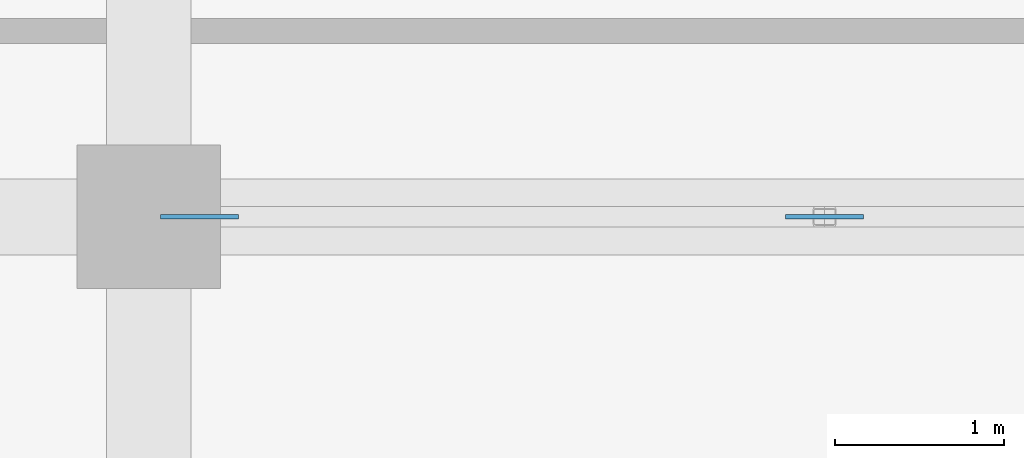
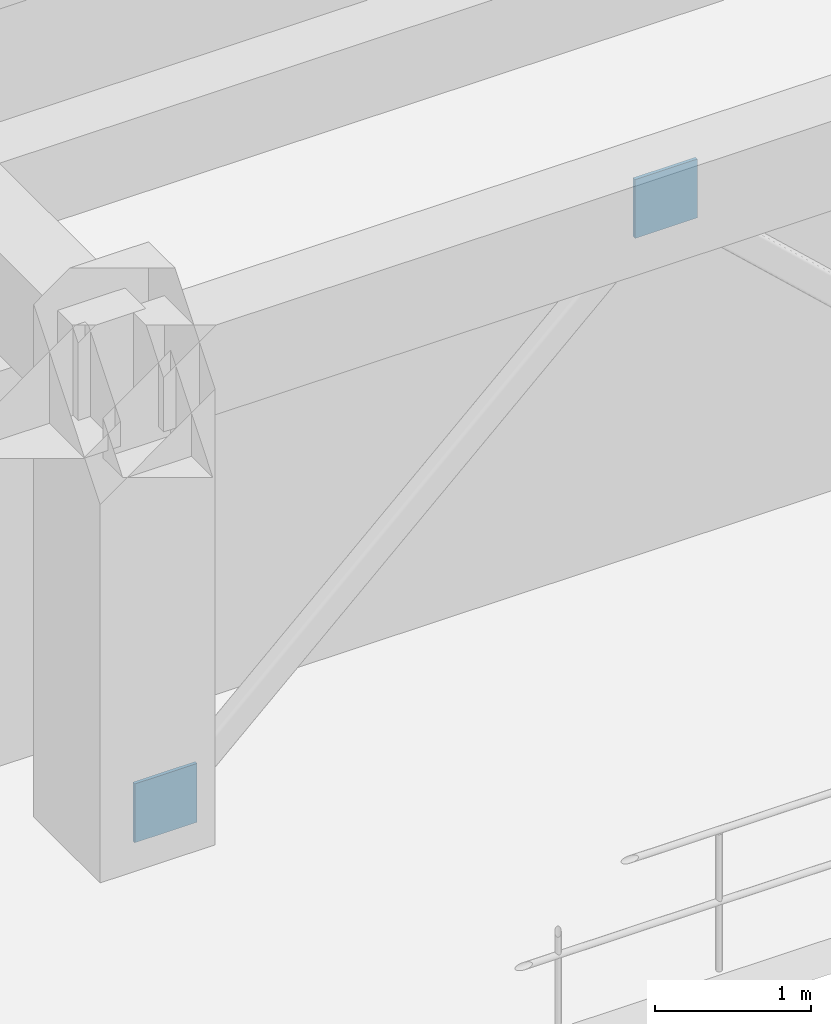
# One storey, part 14 of 35: 2 plates.
"""IFC4 building model written with IfcOpenShell, lengths in metres."""

from ifc_helpers import new_model, si_unit, direction, frame, origin, origin_2d, place, context, subcontext, project, spatial, rectangle, extrude, material, layer, layer_set, type_object, element, save


model = new_model("IFC4")

# Units and contexts
model_context = context("Model", 3, precision=1e-05, world=origin(), true_north=direction((0.0, 1.0)))
body_context = subcontext(model_context, "Body", "Model", "MODEL_VIEW")
ifc_project = project(units=[si_unit("LENGTHUNIT", "METRE"), si_unit("AREAUNIT", "SQUARE_METRE"), si_unit("VOLUMEUNIT", "CUBIC_METRE"), si_unit("PLANEANGLEUNIT", "RADIAN"), si_unit("MASSUNIT", "GRAM", prefix="KILO"), si_unit("THERMODYNAMICTEMPERATUREUNIT", "KELVIN"), si_unit("POWERUNIT", "WATT")], contexts=[model_context])

# Site, building, storey
site_placement = place(None, origin())
site = spatial("IfcSite", under=ifc_project, at=site_placement, CompositionType="ELEMENT")
building_placement = place(site_placement, origin())
building = spatial("IfcBuilding", under=site, at=building_placement, Name="Solvatero Civic Police Headquarters", CompositionType="ELEMENT")
storey_placement = place(building_placement, frame((0.0, 0.0, -4.199951171875)))
storey = spatial("IfcBuildingStorey", under=building, at=storey_placement, Name="B01", CompositionType="ELEMENT", Elevation=-4.199951171875)

# Plates
ifc_material = material(Name="Steel S355", Category="steel")
ifc_layer = layer(ifc_material, 0.02490234375)
ifc_layer_set = layer_set([ifc_layer], Name="Steel S355")
plate_type = type_object("IfcPlateType", Name="PLT-GUS-20", PredefinedType="SHEET", material=ifc_layer_set)
for number, where, z_axis, x_axis, name in (
    (1, (132.0, 36.5, 3.320068359375), (0.0, 0.0, 1.0), (1.0, 0.0, 0.0), "Gusset Plate BR-V3-INT APX B01"),
    (2, (128.300048828125, 36.5, -0.110107421875), (0.0, 0.0, 1.0), (1.0, 0.0, 0.0), "Gusset Plate BR-V3-INT BSL B01"),
):
    element("IfcPlate", number, at=place(storey_placement, frame(where, z_axis=z_axis, x_axis=x_axis)), inside=storey, type_object=plate_type, Name=name, PredefinedType="SHEET", context=body_context, shape_type="SweptSolid", body=[
        extrude(rectangle(XDim=0.4599609375, YDim=0.02490234375, at=origin_2d()), origin(), (0.0, 0.0, 1.0), 0.4599609375),
    ])

save(model, "model.ifc")
